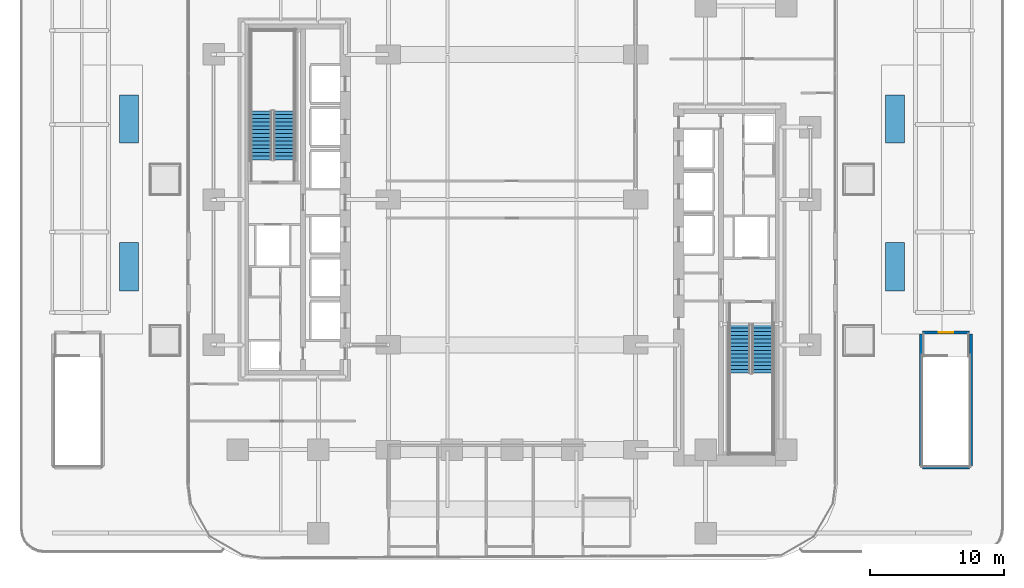
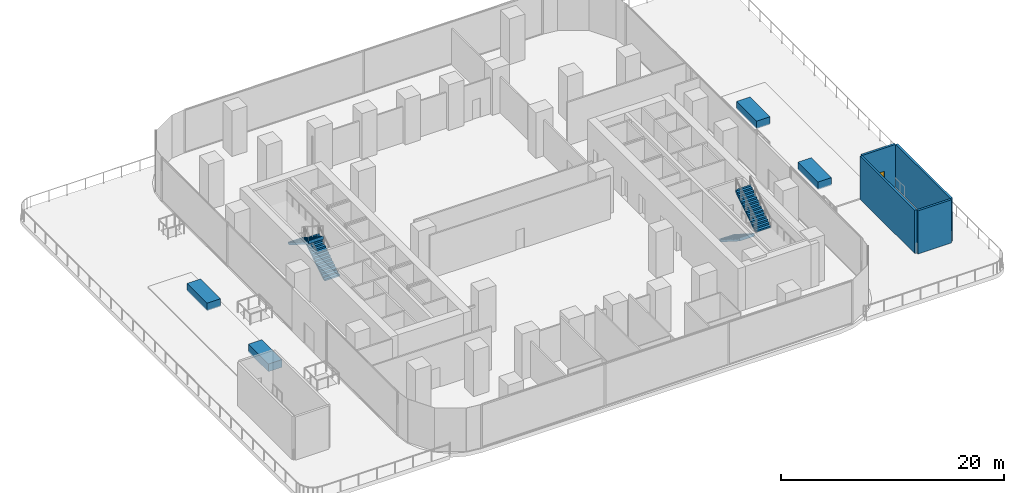
# One storey, part 9 of 21: 4 discrete accessories, 4 stair flights, 4 walls, 1 door, 1 opening, 2 elements without a shape of their own.
"""IFC4 building model written with IfcOpenShell, lengths in metres."""

import ifcopenshell
import ifcopenshell.guid

model = None  # the IFC model being written
_history = None  # IfcOwnerHistory: only IFC2X3 demands one
_inside = {}  # id of a spatial element -> (the spatial element, [elements in it])
_under = {}  # id of a project, library or spatial element -> (it, [spatial elements below it])
_declared = {}  # id of a project -> (the project, [libraries it declares])
_typed = {}  # id of a type object -> (the type object, [elements of that type])
_made_of = {}  # id of a material, layer set ... -> (it, [elements and type objects made of it])


def new_model(schema):
    """Start an empty IFC model of exactly this schema.

    Asked for "IFC4X3", IfcOpenShell would pick the latest addendum, in which some entities
    have other attributes; the version numbers below select the first issue.
    IFC2X3 requires an IfcOwnerHistory on every rooted entity: one is made here for all.
    """
    global model, _history
    if schema == "IFC4X3":
        model = ifcopenshell.file(schema_version=(4, 3, 0, 0))
    else:
        model = ifcopenshell.file(schema=schema)
    _inside.clear()
    _under.clear()
    _declared.clear()
    _typed.clear()
    _made_of.clear()
    _history = None
    if model.schema == "IFC2X3":
        org = make("IfcOrganization", Name="unknown")
        user = make(
            "IfcPersonAndOrganization",
            ThePerson=make("IfcPerson", FamilyName="unknown"),
            TheOrganization=org,
        )
        app = make(
            "IfcApplication",
            ApplicationDeveloper=org,
            Version="unknown",
            ApplicationFullName="unknown",
            ApplicationIdentifier="unknown",
        )
        _history = make(
            "IfcOwnerHistory",
            OwningUser=user,
            OwningApplication=app,
            ChangeAction="ADDED",
            CreationDate=0,
        )
    return model


def make(cls, **values):
    """One entity of the class cls with the attributes given. An attribute that is None is left unset."""
    return model.create_entity(
        cls, **{name: value for name, value in values.items() if value is not None}
    )


def rooted(cls, **values):
    """An entity with a GlobalId (a new one), such as an element, a storey or a relation."""
    return make(cls, GlobalId=ifcopenshell.guid.new(), OwnerHistory=_history, **values)


def si_unit(unit_type, name, prefix=None):
    """IfcSIUnit, for example si_unit("LENGTHUNIT", "METRE", prefix="MILLI")."""
    return make("IfcSIUnit", UnitType=unit_type, Prefix=prefix, Name=name)


def assignment(units):
    """IfcUnitAssignment: the units of a project."""
    return None if units is None else make("IfcUnitAssignment", Units=units)


def point(xyz):
    """IfcCartesianPoint."""
    return None if xyz is None else make("IfcCartesianPoint", Coordinates=xyz)


def direction(xyz):
    """IfcDirection."""
    return None if xyz is None else make("IfcDirection", DirectionRatios=xyz)


def frame(location, z_axis=None, x_axis=None):
    """IfcAxis2Placement3D, a coordinate frame: its origin and axes. An axis left out is left unset."""
    return make(
        "IfcAxis2Placement3D",
        Location=point(location),
        Axis=direction(z_axis),
        RefDirection=direction(x_axis),
    )


def frame_2d(location, x_axis=None):
    """IfcAxis2Placement2D, a coordinate frame in the plane: its origin and x axis."""
    return make(
        "IfcAxis2Placement2D", Location=point(location), RefDirection=direction(x_axis)
    )


def origin():
    """The frame at (0, 0, 0) with its axes left unset."""
    return frame((0.0, 0.0, 0.0))


def origin_2d():
    """The frame at (0, 0) in the plane with its x axis left unset."""
    return frame_2d((0.0, 0.0))


def place(relative_to, where):
    """IfcLocalPlacement: puts the frame where relative to a parent placement (None: the world)."""
    return make(
        "IfcLocalPlacement", PlacementRelTo=relative_to, RelativePlacement=where
    )


def context(
    kind, dimensions, precision=None, world=None, true_north=None, identifier=None
):
    """IfcGeometricRepresentationContext, for example the 3D "Model" context."""
    return make(
        "IfcGeometricRepresentationContext",
        ContextIdentifier=identifier,
        ContextType=kind,
        CoordinateSpaceDimension=dimensions,
        Precision=precision,
        WorldCoordinateSystem=world,
        TrueNorth=true_north,
    )


def subcontext(parent, identifier, kind, view, scale=None):
    """IfcGeometricRepresentationSubContext, for example "Body" below "Model"."""
    return make(
        "IfcGeometricRepresentationSubContext",
        ContextIdentifier=identifier,
        ContextType=kind,
        ParentContext=parent,
        TargetScale=scale,
        TargetView=view,
    )


def project(units=None, contexts=None):
    """IfcProject with its units and contexts."""
    return rooted(
        "IfcProject",
        Name="project",
        RepresentationContexts=contexts,
        UnitsInContext=assignment(units),
    )


def spatial(cls, under=None, at=None, **own):
    """A site, building, storey or space (cls), placed at a placement, below another one or the project."""
    s = rooted(cls, ObjectPlacement=at, **own)
    if under is not None:
        _under.setdefault(under.id(), (under, []))[1].append(s)
    return s


def polyline(points):
    """IfcPolyline through the points."""
    return make("IfcPolyline", Points=[point(p) for p in points])


def profile(cls, at=None, kind="AREA", **sizes):
    """A parametric profile (cls). Its sizes go by their IFC names, for example OverallWidth=200.0."""
    return make(cls, ProfileType=kind, Position=at, **sizes)


def rectangle(**sizes):
    """IfcRectangleProfileDef."""
    return profile("IfcRectangleProfileDef", **sizes)


def outline(outer, holes=None, kind="AREA"):
    """IfcArbitraryClosedProfileDef: a profile drawn as a closed curve; with holes, ...WithVoids."""
    if holes is None:
        return make("IfcArbitraryClosedProfileDef", ProfileType=kind, OuterCurve=outer)
    return make(
        "IfcArbitraryProfileDefWithVoids",
        ProfileType=kind,
        OuterCurve=outer,
        InnerCurves=holes,
    )


def extrude(swept, where, along, depth):
    """IfcExtrudedAreaSolid: the profile swept, set in the frame where, extruded along a direction by depth."""
    return make(
        "IfcExtrudedAreaSolid",
        SweptArea=swept,
        Position=where,
        ExtrudedDirection=direction(along),
        Depth=depth,
    )


def shape(context_of_items, identifier, shape_type, items):
    """IfcShapeRepresentation: the items that make up one representation, for example the "Body"."""
    return make(
        "IfcShapeRepresentation",
        ContextOfItems=context_of_items,
        RepresentationIdentifier=identifier,
        RepresentationType=shape_type,
        Items=items,
    )


def material(Name=None, Category=None):
    """IfcMaterial."""
    return make("IfcMaterial", Name=Name, Category=Category)


def layer(
    of_material, thickness, ventilated=None, Name=None, Category=None, Priority=None
):
    """IfcMaterialLayer: one layer of a wall or slab, of a material (None: an air gap)."""
    return make(
        "IfcMaterialLayer",
        Material=of_material,
        LayerThickness=thickness,
        IsVentilated=ventilated,
        Name=Name,
        Category=Category,
        Priority=Priority,
    )


def layer_set(layers, Name=None):
    """IfcMaterialLayerSet."""
    return make("IfcMaterialLayerSet", MaterialLayers=layers, LayerSetName=Name)


def made_of(thing, what):
    """Note that an element or type object is made of a material, layer set ...; save() writes the relation."""
    if what is not None:
        _made_of.setdefault(what.id(), (what, []))[1].append(thing)
    return thing


def type_object(cls, material=None, **own):
    """A type object (cls), such as IfcWallType, which elements share."""
    return made_of(rooted(cls, **own), material)


def element(
    cls,
    number,
    at=None,
    inside=None,
    cuts=None,
    type_object=None,
    material=None,
    context=None,
    identifier="Body",
    shape_type=None,
    held_by="IfcProductDefinitionShape",
    body=None,
    shapes=None,
    **own,
):
    """One element of the class cls, such as IfcWall. Its Tag is "e" and its number.

    at: its placement. inside: the storey or other place that contains it. cuts: it is an
    opening in that element (IfcRelVoidsElement). A single representation is given by context,
    identifier, shape_type and body (its items); several are given by shapes. held_by: the class
    of the entity that holds the representations. save() writes the other relations.
    """
    e = rooted(cls, Tag="e%d" % number, ObjectPlacement=at, **own)
    if body is not None:
        shapes = [shape(context, identifier, shape_type, body)]
    if shapes is not None:
        e.Representation = make(held_by, Representations=shapes)
    if inside is not None:
        _inside.setdefault(inside.id(), (inside, []))[1].append(e)
    if cuts is not None:
        rooted(
            "IfcRelVoidsElement", RelatingBuildingElement=cuts, RelatedOpeningElement=e
        )
    if type_object is not None:
        _typed.setdefault(type_object.id(), (type_object, []))[1].append(e)
    return made_of(e, material)


def fill(opening, filler):
    """IfcRelFillsElement: the door or window that sits in an opening."""
    return rooted(
        "IfcRelFillsElement",
        RelatingOpeningElement=opening,
        RelatedBuildingElement=filler,
    )


def aggregate(whole, parts):
    """IfcRelAggregates: a whole, such as a stair, and the parts it consists of."""
    return rooted("IfcRelAggregates", RelatingObject=whole, RelatedObjects=parts)


def save(model, path):
    """Write the relations noted so far, then the file.

    IfcRelAggregates (storeys below a building ...), IfcRelContainedInSpatialStructure (elements
    in a storey), IfcRelDefinesByType, IfcRelAssociatesMaterial and IfcRelDeclares: one each for
    every whole, place, type object, material and project.
    """
    for whole, parts in _under.values():
        aggregate(whole, parts)
    for where, things in _inside.values():
        rooted(
            "IfcRelContainedInSpatialStructure",
            RelatedElements=things,
            RelatingStructure=where,
        )
    for kind, things in _typed.values():
        rooted("IfcRelDefinesByType", RelatedObjects=things, RelatingType=kind)
    for what, things in _made_of.values():
        rooted("IfcRelAssociatesMaterial", RelatedObjects=things, RelatingMaterial=what)
    for by, libraries in _declared.values():
        rooted("IfcRelDeclares", RelatingContext=by, RelatedDefinitions=libraries)
    model.write(path)


model = new_model("IFC4")

# Units and contexts
model_context = context("Model", 3, precision=1e-05, world=origin(), true_north=direction((0.0, 1.0)))
body_context = subcontext(model_context, "Body", "Model", "MODEL_VIEW")
ifc_project = project(units=[si_unit("LENGTHUNIT", "METRE"), si_unit("AREAUNIT", "SQUARE_METRE"), si_unit("VOLUMEUNIT", "CUBIC_METRE"), si_unit("PLANEANGLEUNIT", "RADIAN"), si_unit("MASSUNIT", "GRAM", prefix="KILO")], contexts=[model_context])

# Site, building, storey
site_placement = place(None, origin())
site = spatial("IfcSite", under=ifc_project, at=site_placement, CompositionType="ELEMENT")
building_placement = place(site_placement, origin())
building = spatial("IfcBuilding", under=site, at=building_placement, Name="Khairoan Windgate Tower", CompositionType="ELEMENT")
storey_placement = place(building_placement, frame((0.0, 0.0, 21.0)))
storey = spatial("IfcBuildingStorey", under=building, at=storey_placement, Name="L05", CompositionType="ELEMENT", Elevation=21.0)

# Wall, opening, door
ifc_material_1 = material(Name="Concrete C50/60", Category="concrete")
ifc_layer_1 = layer(ifc_material_1, 0.219970703125, Name="Concrete C50/60")
ifc_layer_set_1 = layer_set([ifc_layer_1], Name="Concrete C50/60")
wall_type = type_object("IfcWallType", Name="Shear Wall SW-ST 220mm", PredefinedType="SHEAR", material=ifc_layer_set_1)
wall_1_placement = place(storey_placement, frame((34.02001953125, -9.889892578125, 0.0), z_axis=(0.0, 0.0, 1.0), x_axis=(-1.0, 0.0, 0.0)))
wall_1 = element("IfcWall", 1, at=wall_1_placement, inside=storey, type_object=wall_type, Name="L05 ST3 North Bearing Wall", PredefinedType="SHEAR", context=body_context, shape_type="SweptSolid", body=[
    extrude(rectangle(XDim=3.469970703125, YDim=0.219970703125, at=frame_2d((1.73486328125, 0.0))), origin(), (0.0, 0.0, 1.0), 4.739990234375),
])
opening_placement = place(wall_1_placement, frame((1.179931640625, 0.0, 0.0)))
opening = element("IfcOpeningElement", 2, at=opening_placement, cuts=wall_1, Name="Opening FD-ST", PredefinedType="OPENING", context=body_context, shape_type="SweptSolid", body=[
    extrude(rectangle(XDim=1.10009765625, YDim=2.199951171875, at=frame_2d((0.550048828125, 1.10009765625))), frame((0.0, 0.119873046875, 0.0), z_axis=(0.0, -1.0, 0.0), x_axis=(1.0, 0.0, 0.0)), (0.0, 0.0, 1.0), 0.239990234375),
])
ifc_material_2 = material(Name="Steel S355", Category="steel")
door_type = type_object("IfcDoorType", Name="Smokeproof Stair Fire Door FD-ST 1100x2200", OperationType="NOTDEFINED", PredefinedType="DOOR", material=ifc_material_2)
door_placement = place(opening_placement, origin())
door = element("IfcDoor", 3, at=door_placement, inside=storey, type_object=door_type, Name="L05 Stair ST3 Fire Door", OperationType="SINGLE_SWING_RIGHT", OverallHeight=2.199951171875, OverallWidth=1.10009765625, PredefinedType="DOOR", context=body_context, shape_type="SweptSolid", body=[
    extrude(rectangle(XDim=1.10009765625, YDim=2.199951171875, at=frame_2d((0.550048828125, 1.10009765625))), frame((0.0, 0.02490234375, 0.0), z_axis=(0.0, -1.0, 0.0), x_axis=(1.0, 0.0, 0.0)), (0.0, 0.0, 1.0), 0.050048828125),
])
fill(opening, door)

# Walls
wall_2_placement = place(storey_placement, frame((30.550048828125, -19.909912109375, 0.0), z_axis=(0.0, 0.0, 1.0), x_axis=(1.0, 0.0, 0.0)))
element("IfcWall", 4, at=wall_2_placement, inside=storey, type_object=wall_type, Name="L05 ST3 South Bearing Wall", PredefinedType="SHEAR", context=body_context, shape_type="SweptSolid", body=[
    extrude(rectangle(XDim=3.469970703125, YDim=0.219970703125, at=frame_2d((1.73486328125, 0.0))), origin(), (0.0, 0.0, 1.0), 4.739990234375),
])
for number, where, z_axis, x_axis, name in (
    (5, (30.43994140625, -19.800048828125, 0.0), (0.0, 0.0, 1.0), (0.0, 1.0, 0.0), "L05 ST3 West Bearing Wall"),
    (6, (34.1298828125, -19.800048828125, 0.0), (0.0, 0.0, 1.0), (0.0, 1.0, 0.0), "L05 ST3 East Bearing Wall"),
):
    element("IfcWall", number, at=place(storey_placement, frame(where, z_axis=z_axis, x_axis=x_axis)), inside=storey, type_object=wall_type, Name=name, PredefinedType="SHEAR", context=body_context, shape_type="SweptSolid", body=[
        extrude(rectangle(XDim=9.800048828125, YDim=0.219970703125, at=frame_2d((4.89990234375, 0.0))), origin(), (0.0, 0.0, 1.0), 4.739990234375),
    ])

# Stair, stair flights
ifc_material_3 = material(Name="Concrete C40/50", Category="concrete")
stair_type = type_object("IfcStairType", Name="Tower Core Dog-Leg Stair ST-T1 1560mm", PredefinedType="HALF_TURN_STAIR", material=ifc_material_3)
stair_1_placement = place(storey_placement, origin())
stair_1 = element("IfcStair", 7, at=stair_1_placement, inside=storey, type_object=stair_type, Name="L05 Stair ST1", PredefinedType="HALF_TURN_STAIR")
ifc_material_4 = material(Name="Concrete C40/50", Category="concrete")
ifc_layer_2 = layer(ifc_material_4, 0.14990234375, Name="Concrete C40/50")
ifc_layer_set_2 = layer_set([ifc_layer_2], Name="Concrete C40/50")
stair_flight_type = type_object("IfcStairFlightType", Name="Tower Core Stair Flight STF-1560", PredefinedType="STRAIGHT", material=ifc_layer_set_2)
stair_flight_1_placement = place(storey_placement, frame((16.929931640625, -9.260009765625, 0.0), z_axis=(0.0, 0.0, 1.0), x_axis=(0.0, -1.0, 0.0)))
stair_flight_1 = element("IfcStairFlight", 8, at=stair_flight_1_placement, type_object=stair_flight_type, Name="ST1 flight 1", NumberOfRisers=14, NumberOfTreads=13, PredefinedType="STRAIGHT", RiserHeight=0.178571429, TreadLength=0.28, context=body_context, shape_type="SweptSolid", body=[
    extrude(outline(polyline([(-0.00390625, 0.0), (-0.00390625, 0.178466796875), (0.0, 0.178466796875), (0.280029296875, 0.178466796875), (0.280029296875, 0.357177734375), (0.56005859375, 0.357177734375), (0.56005859375, 0.53564453125), (0.840087890625, 0.53564453125), (0.840087890625, 0.71435546875), (1.1201171875, 0.71435546875), (1.1201171875, 0.892822265625), (1.39990234375, 0.892822265625), (1.39990234375, 1.071533203125), (1.679931640625, 1.071533203125), (1.679931640625, 1.25), (1.9599609375, 1.25), (1.9599609375, 1.428466796875), (2.239990234375, 1.428466796875), (2.239990234375, 1.607177734375), (2.52001953125, 1.607177734375), (2.52001953125, 1.78564453125), (2.800048828125, 1.78564453125), (2.800048828125, 1.96435546875), (3.080078125, 1.96435546875), (3.080078125, 2.142822265625), (3.360107421875, 2.142822265625), (3.360107421875, 2.321533203125), (3.639892578125, 2.321533203125), (3.639892578125, 2.5), (3.64404296875, 2.5), (3.64404296875, 2.1435546875), (0.27880859375, 0.0), (-0.00390625, 0.0)])), frame((0.0, 0.780029296875, 0.0), z_axis=(0.0, -1.0, 0.0), x_axis=(1.0, 0.0, 0.0)), (0.0, 0.0, 1.0), 1.56005859375),
])
stair_flight_2_placement = place(storey_placement, frame((18.639892578125, -12.89990234375, 2.5), z_axis=(0.0, 0.0, 1.0), x_axis=(0.0, 1.0, 0.0)))
stair_flight_2 = element("IfcStairFlight", 9, at=stair_flight_2_placement, type_object=stair_flight_type, Name="ST1 flight 2", NumberOfRisers=14, NumberOfTreads=13, PredefinedType="STRAIGHT", RiserHeight=0.178571429, TreadLength=0.28, context=body_context, shape_type="SweptSolid", body=[
    extrude(outline(polyline([(-0.00390625, 0.0), (-0.00390625, 0.178466796875), (0.0, 0.178466796875), (0.280029296875, 0.178466796875), (0.280029296875, 0.357177734375), (0.56005859375, 0.357177734375), (0.56005859375, 0.53564453125), (0.840087890625, 0.53564453125), (0.840087890625, 0.71435546875), (1.1201171875, 0.71435546875), (1.1201171875, 0.892822265625), (1.39990234375, 0.892822265625), (1.39990234375, 1.071533203125), (1.679931640625, 1.071533203125), (1.679931640625, 1.25), (1.9599609375, 1.25), (1.9599609375, 1.428466796875), (2.239990234375, 1.428466796875), (2.239990234375, 1.607177734375), (2.52001953125, 1.607177734375), (2.52001953125, 1.78564453125), (2.800048828125, 1.78564453125), (2.800048828125, 1.96435546875), (3.080078125, 1.96435546875), (3.080078125, 2.142822265625), (3.360107421875, 2.142822265625), (3.360107421875, 2.321533203125), (3.639892578125, 2.321533203125), (3.639892578125, 2.5), (3.64404296875, 2.5), (3.64404296875, 2.1435546875), (0.27880859375, 0.0), (-0.00390625, 0.0)])), frame((0.0, 0.780029296875, 0.0), z_axis=(0.0, -1.0, 0.0), x_axis=(1.0, 0.0, 0.0)), (0.0, 0.0, 1.0), 1.56005859375),
])
aggregate(stair_1, [stair_flight_1, stair_flight_2])

stair_2_placement = place(storey_placement, origin())
stair_2 = element("IfcStair", 10, at=stair_2_placement, inside=storey, type_object=stair_type, Name="L05 Stair ST2", PredefinedType="HALF_TURN_STAIR")
stair_flight_3_placement = place(storey_placement, frame((-16.929931640625, 2.9599609375, 0.0), z_axis=(0.0, 0.0, 1.0), x_axis=(0.0, 1.0, 0.0)))
stair_flight_3 = element("IfcStairFlight", 11, at=stair_flight_3_placement, type_object=stair_flight_type, Name="ST2 flight 1", NumberOfRisers=14, NumberOfTreads=13, PredefinedType="STRAIGHT", RiserHeight=0.178571429, TreadLength=0.28, context=body_context, shape_type="SweptSolid", body=[
    extrude(outline(polyline([(-0.00390625, 0.0), (-0.00390625, 0.178466796875), (0.0, 0.178466796875), (0.280029296875, 0.178466796875), (0.280029296875, 0.357177734375), (0.56005859375, 0.357177734375), (0.56005859375, 0.53564453125), (0.840087890625, 0.53564453125), (0.840087890625, 0.71435546875), (1.1201171875, 0.71435546875), (1.1201171875, 0.892822265625), (1.39990234375, 0.892822265625), (1.39990234375, 1.071533203125), (1.679931640625, 1.071533203125), (1.679931640625, 1.25), (1.9599609375, 1.25), (1.9599609375, 1.428466796875), (2.239990234375, 1.428466796875), (2.239990234375, 1.607177734375), (2.52001953125, 1.607177734375), (2.52001953125, 1.78564453125), (2.800048828125, 1.78564453125), (2.800048828125, 1.96435546875), (3.080078125, 1.96435546875), (3.080078125, 2.142822265625), (3.360107421875, 2.142822265625), (3.360107421875, 2.321533203125), (3.639892578125, 2.321533203125), (3.639892578125, 2.5), (3.64404296875, 2.5), (3.64404296875, 2.1435546875), (0.27880859375, 0.0), (-0.00390625, 0.0)])), frame((0.0, 0.780029296875, 0.0), z_axis=(0.0, -1.0, 0.0), x_axis=(1.0, 0.0, 0.0)), (0.0, 0.0, 1.0), 1.56005859375),
])
stair_flight_4_placement = place(storey_placement, frame((-18.639892578125, 6.60009765625, 2.5), z_axis=(0.0, 0.0, 1.0), x_axis=(0.0, -1.0, 0.0)))
stair_flight_4 = element("IfcStairFlight", 12, at=stair_flight_4_placement, type_object=stair_flight_type, Name="ST2 flight 2", NumberOfRisers=14, NumberOfTreads=13, PredefinedType="STRAIGHT", RiserHeight=0.178571429, TreadLength=0.28, context=body_context, shape_type="SweptSolid", body=[
    extrude(outline(polyline([(-0.00390625, 0.0), (-0.00390625, 0.178466796875), (0.0, 0.178466796875), (0.280029296875, 0.178466796875), (0.280029296875, 0.357177734375), (0.56005859375, 0.357177734375), (0.56005859375, 0.53564453125), (0.840087890625, 0.53564453125), (0.840087890625, 0.71435546875), (1.1201171875, 0.71435546875), (1.1201171875, 0.892822265625), (1.39990234375, 0.892822265625), (1.39990234375, 1.071533203125), (1.679931640625, 1.071533203125), (1.679931640625, 1.25), (1.9599609375, 1.25), (1.9599609375, 1.428466796875), (2.239990234375, 1.428466796875), (2.239990234375, 1.607177734375), (2.52001953125, 1.607177734375), (2.52001953125, 1.78564453125), (2.800048828125, 1.78564453125), (2.800048828125, 1.96435546875), (3.080078125, 1.96435546875), (3.080078125, 2.142822265625), (3.360107421875, 2.142822265625), (3.360107421875, 2.321533203125), (3.639892578125, 2.321533203125), (3.639892578125, 2.5), (3.64404296875, 2.5), (3.64404296875, 2.1435546875), (0.27880859375, 0.0), (-0.00390625, 0.0)])), frame((0.0, 0.780029296875, 0.0), z_axis=(0.0, -1.0, 0.0), x_axis=(1.0, 0.0, 0.0)), (0.0, 0.0, 1.0), 1.56005859375),
])
aggregate(stair_2, [stair_flight_3, stair_flight_4])

# Discrete accessories
ifc_material_5 = material(Name="Precast Concrete C40/50", Category="concrete")
discrete_accessory_type = type_object("IfcDiscreteAccessoryType", Name="Architectural Precast Terrace Planter Box PLN-1", PredefinedType="USERDEFINED", material=ifc_material_5)
for number, where, z_axis, x_axis, name in (
    (13, (-28.5, -5.0, 0.0), (0.0, 0.0, 1.0), (1.0, 0.0, 0.0), "L05 Podium Garden Landscape Planter 01"),
    (14, (-28.5, 6.0, 0.0), (0.0, 0.0, 1.0), (1.0, 0.0, 0.0), "L05 Podium Garden Landscape Planter 02"),
    (15, (28.5, -5.0, 0.0), (0.0, 0.0, 1.0), (1.0, 0.0, 0.0), "L05 Podium Garden Landscape Planter 03"),
    (16, (28.5, 6.0, 0.0), (0.0, 0.0, 1.0), (1.0, 0.0, 0.0), "L05 Podium Garden Landscape Planter 04"),
):
    element("IfcDiscreteAccessory", number, at=place(storey_placement, frame(where, z_axis=z_axis, x_axis=x_axis)), inside=storey, type_object=discrete_accessory_type, Name=name, ObjectType="PLANTER", PredefinedType="USERDEFINED", context=body_context, shape_type="SweptSolid", body=[
        extrude(rectangle(XDim=1.39990234375, YDim=3.60009765625, at=origin_2d()), origin(), (0.0, 0.0, 1.0), 0.840087890625),
    ])

save(model, "model.ifc")
